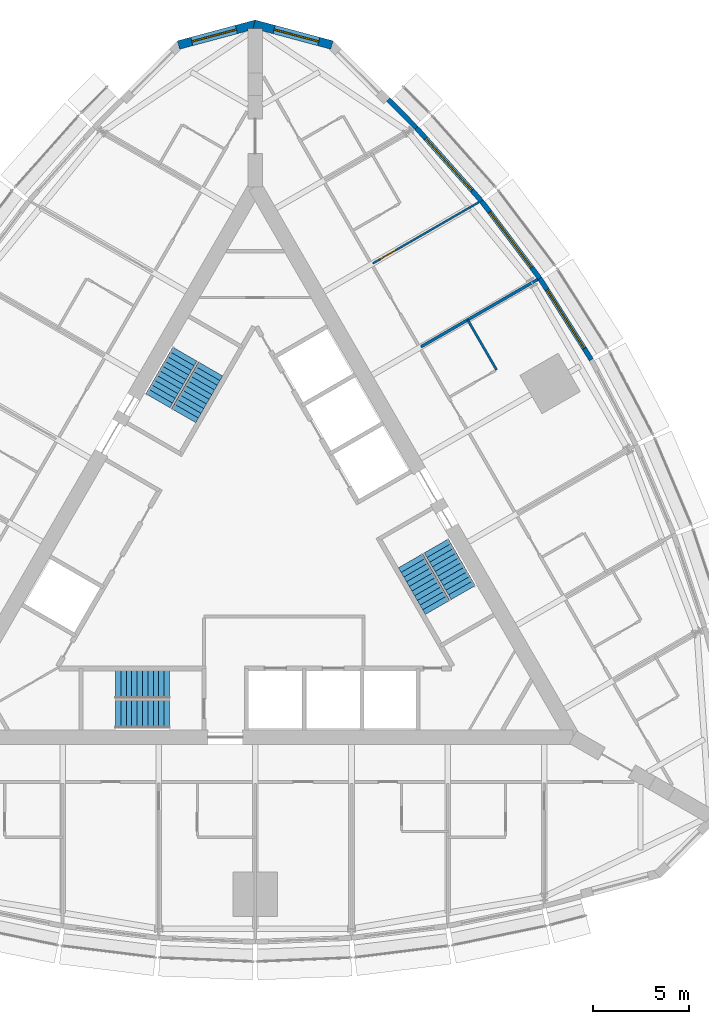
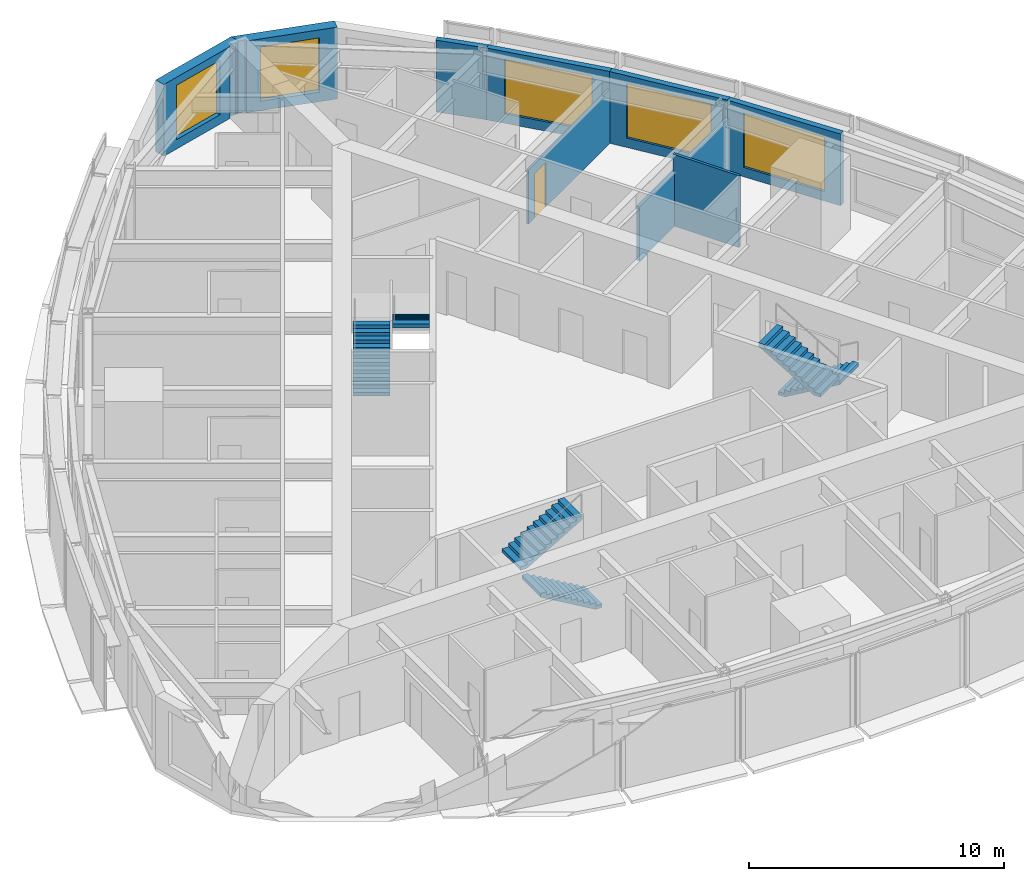
# One storey, part 14 of 15: 9 walls, 6 stair flights, 5 windows, 1 door, 6 openings, 3 elements without a shape of their own.
"""IFC4 building model written with IfcOpenShell, lengths in metres."""

from ifc_helpers import new_model, si_unit, direction, frame, frame_2d, origin, place, context, subcontext, project, spatial, polyline, rectangle, outline, extrude, material, layer, layer_set, type_object, element, fill, aggregate, save


model = new_model("IFC4")

# Units and contexts
model_context = context("Model", 3, precision=1e-05, world=origin(), true_north=direction((0.0, 1.0)))
body_context = subcontext(model_context, "Body", "Model", "MODEL_VIEW")
ifc_project = project(units=[si_unit("LENGTHUNIT", "METRE"), si_unit("AREAUNIT", "SQUARE_METRE"), si_unit("VOLUMEUNIT", "CUBIC_METRE"), si_unit("PLANEANGLEUNIT", "RADIAN"), si_unit("MASSUNIT", "GRAM", prefix="KILO")], contexts=[model_context])

# Site, building, storey
site_placement = place(None, origin())
site = spatial("IfcSite", under=ifc_project, at=site_placement, CompositionType="ELEMENT")
building_placement = place(site_placement, origin())
building = spatial("IfcBuilding", under=site, at=building_placement, Name="Trikona Tower", CompositionType="ELEMENT")
storey_placement = place(building_placement, frame((0.0, 0.0, 215.300048828125)))
storey = spatial("IfcBuildingStorey", under=building, at=storey_placement, Name="L57", CompositionType="ELEMENT", Elevation=215.300048828125)

# Wall
ifc_material_1 = material(Name="Metal stud and cement board", Category="gypsum")
ifc_layer_1 = layer(ifc_material_1, 0.1201171875)
ifc_layer_set_1 = layer_set([ifc_layer_1], Name="Bathroom wall 120")
wall_type_1 = type_object("IfcWallType", Name="Bathroom wall 120", PredefinedType="PLUMBINGWALL", material=ifc_layer_set_1)
wall_1_placement = place(storey_placement, frame((12.53271484375, 9.545166015625, 0.0), z_axis=(0.0, 0.0, 1.0), x_axis=(-0.499990139034, 0.866031096941, 0.0)))
element("IfcWall", 1, at=wall_1_placement, inside=storey, type_object=wall_type_1, Name="Bathroom wall 5708", PredefinedType="PLUMBINGWALL", context=body_context, shape_type="SweptSolid", body=[
    extrude(rectangle(XDim=3.0, YDim=0.1201171875, at=frame_2d((1.5, 0.0))), origin(), (0.0, 0.0, 1.0), 3.43505859375),
])

# Wall, opening, window
ifc_material_2 = material(Name="Brick-faced precast concrete", Category="masonry")
ifc_layer_2 = layer(ifc_material_2, 0.449951171875)
ifc_layer_set_2 = layer_set([ifc_layer_2], Name="Brick-faced corner wall 450")
wall_type_2 = type_object("IfcWallType", Name="Brick-faced corner wall 450", PredefinedType="SOLIDWALL", material=ifc_layer_set_2)
wall_2_placement = place(storey_placement, frame((3.9833984375, 26.41259765625, 0.0), z_axis=(0.0, 0.0, 1.0), x_axis=(-0.965920442324, 0.258839137498, 0.0)))
wall_2 = element("IfcWall", 2, at=wall_2_placement, inside=storey, type_object=wall_type_2, Name="External wall L57-21", PredefinedType="SOLIDWALL", context=body_context, shape_type="SweptSolid", body=[
    extrude(outline(polyline([(4.18408203125, 0.22509765625), (4.124267578125, 0.22509765625), (3.70556640625, 0.11279296875), (3.675537109375, 0.22509765625), (0.0, 0.22509765625), (0.0, -0.22509765625), (4.18408203125, -0.22509765625), (4.18408203125, 0.22509765625)])), origin(), (0.0, 0.0, 1.0), 3.43505859375),
])
opening_1_placement = place(wall_2_placement, frame((0.712646484375, 0.0, 0.449951171875)))
opening_1 = element("IfcOpeningElement", 3, at=opening_1_placement, cuts=wall_2, Name="Opening W2426", PredefinedType="OPENING", context=body_context, shape_type="SweptSolid", body=[
    extrude(rectangle(XDim=2.39990234375, YDim=2.60009765625, at=frame_2d((1.199951171875, 1.300048828125))), frame((0.0, 0.23486328125, 0.0), z_axis=(0.0, -1.0, 0.0), x_axis=(1.0, 0.0, 0.0)), (0.0, 0.0, 1.0), 0.469970703125),
])
ifc_material_3 = material(Name="Aluminium-framed double glazing", Category="aluminium")
window_type_1 = type_object("IfcWindowType", Name="Window 2400x2600", PartitioningType="SINGLE_PANEL", PredefinedType="WINDOW", material=ifc_material_3)
window_1_placement = place(opening_1_placement, origin())
window_1 = element("IfcWindow", 4, at=window_1_placement, inside=storey, type_object=window_type_1, Name="Window 5710", OverallHeight=2.60009765625, OverallWidth=2.39990234375, PartitioningType="SINGLE_PANEL", PredefinedType="WINDOW", context=body_context, shape_type="SweptSolid", body=[
    extrude(rectangle(XDim=2.39990234375, YDim=2.60009765625, at=frame_2d((1.199951171875, 1.300048828125))), frame((0.0, 0.030029296875, 0.0), z_axis=(0.0, -1.0, 0.0), x_axis=(1.0, 0.0, 0.0)), (0.0, 0.0, 1.0), 0.06005859375),
])
fill(opening_1, window_1)

wall_3_placement = place(storey_placement, frame((0.05810546875, 27.49560546875, 0.0), z_axis=(0.0, 0.0, 1.0), x_axis=(-0.965920442324, -0.258839137498, 0.0)))
wall_3 = element("IfcWall", 5, at=wall_3_placement, inside=storey, type_object=wall_type_2, Name="External wall L57-22", PredefinedType="SOLIDWALL", context=body_context, shape_type="SweptSolid", body=[
    extrude(outline(polyline([(4.18408203125, 0.22509765625), (0.5087890625, 0.22509765625), (0.478515625, 0.11279296875), (0.059814453125, 0.22509765625), (0.0, 0.22509765625), (0.0, -0.22509765625), (4.18408203125, -0.22509765625), (4.18408203125, 0.22509765625)])), origin(), (0.0, 0.0, 1.0), 3.43505859375),
])
opening_2_placement = place(wall_3_placement, frame((1.0712890625, 0.0, 0.449951171875)))
opening_2 = element("IfcOpeningElement", 6, at=opening_2_placement, cuts=wall_3, Name="Opening W2426", PredefinedType="OPENING", context=body_context, shape_type="SweptSolid", body=[
    extrude(rectangle(XDim=2.39990234375, YDim=2.60009765625, at=frame_2d((1.199951171875, 1.300048828125))), frame((0.0, 0.23486328125, 0.0), z_axis=(0.0, -1.0, 0.0), x_axis=(1.0, 0.0, 0.0)), (0.0, 0.0, 1.0), 0.469970703125),
])
window_2_placement = place(opening_2_placement, origin())
window_2 = element("IfcWindow", 7, at=window_2_placement, inside=storey, type_object=window_type_1, Name="Window 5711", OverallHeight=2.60009765625, OverallWidth=2.39990234375, PartitioningType="SINGLE_PANEL", PredefinedType="WINDOW", context=body_context, shape_type="SweptSolid", body=[
    extrude(rectangle(XDim=2.39990234375, YDim=2.60009765625, at=frame_2d((1.199951171875, 1.300048828125))), frame((0.0, 0.030029296875, 0.0), z_axis=(0.0, -1.0, 0.0), x_axis=(1.0, 0.0, 0.0)), (0.0, 0.0, 1.0), 0.06005859375),
])
fill(opening_2, window_2)

ifc_material_4 = material(Name="Insulated precast concrete spandrel panel", Category="concrete")
ifc_layer_3 = layer(ifc_material_4, 0.25)
ifc_layer_set_3 = layer_set([ifc_layer_3], Name="Inner skin wall 250")
wall_type_3 = type_object("IfcWallType", Name="Inner skin wall 250", PredefinedType="STANDARD", material=ifc_layer_set_3)
wall_4_placement = place(storey_placement, frame((17.45556640625, 10.072021484375, 0.0), z_axis=(0.0, 0.0, 1.0), x_axis=(-0.535220361449, 0.844712474568, 0.0)))
wall_4 = element("IfcWall", 8, at=wall_4_placement, inside=storey, type_object=wall_type_3, Name="External wall L57-16", PredefinedType="STANDARD", context=body_context, shape_type="SweptSolid", body=[
    extrude(rectangle(XDim=5.00439453125, YDim=0.25, at=frame_2d((2.502197265625, 0.0))), origin(), (0.0, 0.0, 1.0), 3.43505859375),
])
opening_3_placement = place(wall_4_placement, frame((0.7021484375, 0.0, 0.449951171875)))
opening_3 = element("IfcOpeningElement", 9, at=opening_3_placement, cuts=wall_4, Name="Opening W3626", PredefinedType="OPENING", context=body_context, shape_type="SweptSolid", body=[
    extrude(rectangle(XDim=3.60009765625, YDim=2.60009765625, at=frame_2d((1.800048828125, 1.300048828125))), frame((0.0, 0.135009765625, 0.0), z_axis=(0.0, -1.0, 0.0), x_axis=(1.0, 0.0, 0.0)), (0.0, 0.0, 1.0), 0.27001953125),
])
ifc_material_5 = material(Name="Aluminium-framed double glazing", Category="aluminium")
window_type_2 = type_object("IfcWindowType", Name="Window 3600x2600", PartitioningType="SINGLE_PANEL", PredefinedType="WINDOW", material=ifc_material_5)
window_3_placement = place(opening_3_placement, origin())
window_3 = element("IfcWindow", 10, at=window_3_placement, inside=storey, type_object=window_type_2, Name="Window 5708", OverallHeight=2.60009765625, OverallWidth=3.60009765625, PartitioningType="SINGLE_PANEL", PredefinedType="WINDOW", context=body_context, shape_type="SweptSolid", body=[
    extrude(rectangle(XDim=3.60009765625, YDim=2.60009765625, at=frame_2d((1.800048828125, 1.300048828125))), frame((0.0, 0.030029296875, 0.0), z_axis=(0.0, -1.0, 0.0), x_axis=(1.0, 0.0, 0.0)), (0.0, 0.0, 1.0), 0.06005859375),
])
fill(opening_3, window_3)

wall_5_placement = place(storey_placement, frame((14.782958984375, 14.290771484375, 0.0), z_axis=(0.0, 0.0, 1.0), x_axis=(-0.602408653511, 0.798187831388, 0.0)))
wall_5 = element("IfcWall", 11, at=wall_5_placement, inside=storey, type_object=wall_type_3, Name="External wall L57-17", PredefinedType="STANDARD", context=body_context, shape_type="SweptSolid", body=[
    extrude(rectangle(XDim=5.037841796875, YDim=0.25, at=frame_2d((2.51904296875, 0.0))), origin(), (0.0, 0.0, 1.0), 3.43505859375),
])
opening_4_placement = place(wall_5_placement, frame((0.718994140625, 0.0, 0.449951171875)))
opening_4 = element("IfcOpeningElement", 12, at=opening_4_placement, cuts=wall_5, Name="Opening W3626", PredefinedType="OPENING", context=body_context, shape_type="SweptSolid", body=[
    extrude(rectangle(XDim=3.60009765625, YDim=2.60009765625, at=frame_2d((1.800048828125, 1.300048828125))), frame((0.0, 0.135009765625, 0.0), z_axis=(0.0, -1.0, 0.0), x_axis=(1.0, 0.0, 0.0)), (0.0, 0.0, 1.0), 0.27001953125),
])
window_4_placement = place(opening_4_placement, origin())
window_4 = element("IfcWindow", 13, at=window_4_placement, inside=storey, type_object=window_type_2, Name="Window 5709", OverallHeight=2.60009765625, OverallWidth=3.60009765625, PartitioningType="SINGLE_PANEL", PredefinedType="WINDOW", context=body_context, shape_type="SweptSolid", body=[
    extrude(rectangle(XDim=3.60009765625, YDim=2.60009765625, at=frame_2d((1.800048828125, 1.300048828125))), frame((0.0, 0.030029296875, 0.0), z_axis=(0.0, -1.0, 0.0), x_axis=(1.0, 0.0, 0.0)), (0.0, 0.0, 1.0), 0.06005859375),
])
fill(opening_4, window_4)

wall_6_placement = place(storey_placement, frame((11.75439453125, 18.304443359375, 0.0), z_axis=(0.0, 0.0, 1.0), x_axis=(-0.664348996191, 0.747422511876, 0.0)))
wall_6 = element("IfcWall", 14, at=wall_6_placement, inside=storey, type_object=wall_type_3, Name="External wall L57-18", PredefinedType="STANDARD", context=body_context, shape_type="SweptSolid", body=[
    extrude(rectangle(XDim=5.104736328125, YDim=0.25, at=frame_2d((2.55224609375, 0.0))), origin(), (0.0, 0.0, 1.0), 3.43505859375),
])
opening_5_placement = place(wall_6_placement, frame((0.75244140625, 0.0, 0.449951171875)))
opening_5 = element("IfcOpeningElement", 15, at=opening_5_placement, cuts=wall_6, Name="Opening W3626", PredefinedType="OPENING", context=body_context, shape_type="SweptSolid", body=[
    extrude(rectangle(XDim=3.60009765625, YDim=2.60009765625, at=frame_2d((1.800048828125, 1.300048828125))), frame((0.0, 0.135009765625, 0.0), z_axis=(0.0, -1.0, 0.0), x_axis=(1.0, 0.0, 0.0)), (0.0, 0.0, 1.0), 0.27001953125),
])
window_5_placement = place(opening_5_placement, origin())
window_5 = element("IfcWindow", 16, at=window_5_placement, inside=storey, type_object=window_type_2, Name="Window 5709.1", OverallHeight=2.60009765625, OverallWidth=3.60009765625, PartitioningType="SINGLE_PANEL", PredefinedType="WINDOW", context=body_context, shape_type="SweptSolid", body=[
    extrude(rectangle(XDim=3.60009765625, YDim=2.60009765625, at=frame_2d((1.800048828125, 1.300048828125))), frame((0.0, 0.030029296875, 0.0), z_axis=(0.0, -1.0, 0.0), x_axis=(1.0, 0.0, 0.0)), (0.0, 0.0, 1.0), 0.06005859375),
])
fill(opening_5, window_5)

# Walls
wall_7_placement = place(storey_placement, frame((8.36767578125, 22.11474609375, 0.0), z_axis=(0.0, 0.0, 1.0), x_axis=(-0.704149946111, 0.710051303352, 0.0)))
element("IfcWall", 17, at=wall_7_placement, inside=storey, type_object=wall_type_3, Name="External wall L57-19", PredefinedType="STANDARD", context=body_context, shape_type="SweptSolid", body=[
    extrude(rectangle(XDim=2.068603515625, YDim=0.25, at=frame_2d((1.0341796875, 0.0))), origin(), (0.0, 0.0, 1.0), 3.43505859375),
])
ifc_material_6 = material(Name="Metal stud and gypsum board, 1-hour acoustic", Category="gypsum")
ifc_layer_4 = layer(ifc_material_6, 0.14990234375)
ifc_layer_set_4 = layer_set([ifc_layer_4], Name="Party wall 150")
wall_type_4 = type_object("IfcWallType", Name="Party wall 150", PredefinedType="PARTITIONING", material=ifc_layer_set_4)
wall_8_placement = place(storey_placement, frame((8.60791015625, 10.743408203125, 0.0), z_axis=(0.0, 0.0, 1.0), x_axis=(0.86604781716, 0.499961176886, 0.0)))
element("IfcWall", 18, at=wall_8_placement, inside=storey, type_object=wall_type_4, Name="Partition L57 F2 u5", PredefinedType="PARTITIONING", context=body_context, shape_type="SweptSolid", body=[
    extrude(rectangle(XDim=6.99365234375, YDim=0.14990234375, at=frame_2d((3.496826171875, 0.0))), origin(), (0.0, 0.0, 1.0), 2.589111328125),
])

# Wall, opening, door
ifc_material_7 = material(Name="Metal stud and gypsum board, acoustic", Category="gypsum")
ifc_layer_5 = layer(ifc_material_7, 0.10009765625)
ifc_layer_set_5 = layer_set([ifc_layer_5], Name="Suite partition 100")
wall_type_5 = type_object("IfcWallType", Name="Suite partition 100", PredefinedType="PARTITIONING", material=ifc_layer_set_5)
wall_9_placement = place(storey_placement, frame((6.10791015625, 15.073486328125, 0.0), z_axis=(0.0, 0.0, 1.0), x_axis=(0.866035028144, 0.499983329749, 0.0)))
wall_9 = element("IfcWall", 19, at=wall_9_placement, inside=storey, type_object=wall_type_5, Name="Suite partition L57 F2 u10", PredefinedType="PARTITIONING", context=body_context, shape_type="SweptSolid", body=[
    extrude(rectangle(XDim=6.372802734375, YDim=0.10009765625, at=frame_2d((3.1865234375, 0.0))), origin(), (0.0, 0.0, 1.0), 2.589111328125),
])
opening_6_placement = place(wall_9_placement, frame((0.449951171875, 0.0, 0.0)))
opening_6 = element("IfcOpeningElement", 20, at=opening_6_placement, cuts=wall_9, Name="Opening D13", PredefinedType="OPENING", context=body_context, shape_type="SweptSolid", body=[
    extrude(rectangle(XDim=0.89990234375, YDim=2.1298828125, at=frame_2d((0.449951171875, 1.06494140625))), frame((0.0, 0.06005859375, 0.0), z_axis=(0.0, -1.0, 0.0), x_axis=(1.0, 0.0, 0.0)), (0.0, 0.0, 1.0), 0.1201171875),
])
ifc_material_8 = material(Name="Steel door frame with solid-core timber leaf", Category="steel")
door_type = type_object("IfcDoorType", Name="Suite door 900x2130", OperationType="SINGLE_SWING_LEFT", PredefinedType="DOOR", material=ifc_material_8)
door_placement = place(opening_6_placement, origin())
door = element("IfcDoor", 21, at=door_placement, inside=storey, type_object=door_type, Name="Suite door 5709", OperationType="SINGLE_SWING_LEFT", OverallHeight=2.1298828125, OverallWidth=0.89990234375, PredefinedType="DOOR", context=body_context, shape_type="SweptSolid", body=[
    extrude(rectangle(XDim=0.89990234375, YDim=2.1298828125, at=frame_2d((0.449951171875, 1.06494140625))), frame((0.0, 0.02490234375, 0.0), z_axis=(0.0, -1.0, 0.0), x_axis=(1.0, 0.0, 0.0)), (0.0, 0.0, 1.0), 0.050048828125),
])
fill(opening_6, door)

# Stair, stair flights
ifc_material_9 = material(Name="Concrete f'c 5000 psi", Category="concrete")
stair_type = type_object("IfcStairType", Name="Core stair", PredefinedType="HALF_TURN_STAIR", material=ifc_material_9)
stair_1_placement = place(storey_placement, origin())
stair_1 = element("IfcStair", 22, at=stair_1_placement, inside=storey, type_object=stair_type, Name="Stair A L57", PredefinedType="HALF_TURN_STAIR")
ifc_material_10 = material(Name="Concrete f'c 5000 psi", Category="concrete")
stair_flight_type = type_object("IfcStairFlightType", Name="Core stair flight 1450", PredefinedType="STRAIGHT", material=ifc_material_10)
stair_flight_1_placement = place(storey_placement, frame((-4.449951171875, -8.351318359375, 0.0), z_axis=(0.0, 0.0, 1.0), x_axis=(-1.0, 0.0, 0.0)))
stair_flight_1 = element("IfcStairFlight", 23, at=stair_flight_1_placement, type_object=stair_flight_type, Name="ST-A flight 1", NumberOfRisers=11, NumberOfTreads=10, PredefinedType="STRAIGHT", RiserHeight=0.163636, TreadLength=0.28, context=body_context, shape_type="SweptSolid", body=[
    extrude(outline(polyline([(0.0, 0.0), (0.0, 0.16357421875), (0.280029296875, 0.16357421875), (0.280029296875, 0.327392578125), (0.56005859375, 0.327392578125), (0.56005859375, 0.490966796875), (0.840087890625, 0.490966796875), (0.840087890625, 0.654541015625), (1.1201171875, 0.654541015625), (1.1201171875, 0.818115234375), (1.39990234375, 0.818115234375), (1.39990234375, 0.98193359375), (1.679931640625, 0.98193359375), (1.679931640625, 1.1455078125), (1.9599609375, 1.1455078125), (1.9599609375, 1.30908203125), (2.239990234375, 1.30908203125), (2.239990234375, 1.47265625), (2.52001953125, 1.47265625), (2.52001953125, 1.636474609375), (2.800048828125, 1.636474609375), (2.800048828125, 1.800048828125), (2.800048828125, 1.462646484375), (0.297119140625, 0.0), (0.0, 0.0)])), frame((0.0, 0.72509765625, 0.0), z_axis=(0.0, -1.0, 0.0), x_axis=(1.0, 0.0, 0.0)), (0.0, 0.0, 1.0), 1.449951171875),
])
stair_flight_2_placement = place(storey_placement, frame((-7.25, -6.80126953125, 1.800048828125), z_axis=(0.0, 0.0, 1.0), x_axis=(1.0, 0.0, 0.0)))
stair_flight_2 = element("IfcStairFlight", 24, at=stair_flight_2_placement, type_object=stair_flight_type, Name="ST-A flight 2", NumberOfRisers=11, NumberOfTreads=10, PredefinedType="STRAIGHT", RiserHeight=0.163636, TreadLength=0.28, context=body_context, shape_type="SweptSolid", body=[
    extrude(outline(polyline([(0.0, 0.0), (0.0, 0.16357421875), (0.280029296875, 0.16357421875), (0.280029296875, 0.327392578125), (0.56005859375, 0.327392578125), (0.56005859375, 0.490966796875), (0.840087890625, 0.490966796875), (0.840087890625, 0.654541015625), (1.1201171875, 0.654541015625), (1.1201171875, 0.818115234375), (1.39990234375, 0.818115234375), (1.39990234375, 0.98193359375), (1.679931640625, 0.98193359375), (1.679931640625, 1.1455078125), (1.9599609375, 1.1455078125), (1.9599609375, 1.30908203125), (2.239990234375, 1.30908203125), (2.239990234375, 1.47265625), (2.52001953125, 1.47265625), (2.52001953125, 1.636474609375), (2.800048828125, 1.636474609375), (2.800048828125, 1.800048828125), (2.800048828125, 1.462646484375), (0.297119140625, 0.0), (0.0, 0.0)])), frame((0.0, 0.72509765625, 0.0), z_axis=(0.0, -1.0, 0.0), x_axis=(1.0, 0.0, 0.0)), (0.0, 0.0, 1.0), 1.449951171875),
])
aggregate(stair_1, [stair_flight_1, stair_flight_2])

stair_2_placement = place(storey_placement, origin())
stair_2 = element("IfcStair", 25, at=stair_2_placement, inside=storey, type_object=stair_type, Name="Stair B L57", PredefinedType="HALF_TURN_STAIR")
stair_flight_3_placement = place(storey_placement, frame((9.407470703125, 0.408447265625, 0.0), z_axis=(0.0, 0.0, 1.0), x_axis=(0.5, -0.866025403784, 0.0)))
stair_flight_3 = element("IfcStairFlight", 26, at=stair_flight_3_placement, type_object=stair_flight_type, Name="ST-B flight 1", NumberOfRisers=11, NumberOfTreads=10, PredefinedType="STRAIGHT", RiserHeight=0.163636, TreadLength=0.28, context=body_context, shape_type="SweptSolid", body=[
    extrude(outline(polyline([(0.0, 0.0), (0.0, 0.16357421875), (0.280029296875, 0.16357421875), (0.280029296875, 0.327392578125), (0.56005859375, 0.327392578125), (0.56005859375, 0.490966796875), (0.840087890625, 0.490966796875), (0.840087890625, 0.654541015625), (1.1201171875, 0.654541015625), (1.1201171875, 0.818115234375), (1.39990234375, 0.818115234375), (1.39990234375, 0.98193359375), (1.679931640625, 0.98193359375), (1.679931640625, 1.1455078125), (1.9599609375, 1.1455078125), (1.9599609375, 1.30908203125), (2.239990234375, 1.30908203125), (2.239990234375, 1.47265625), (2.52001953125, 1.47265625), (2.52001953125, 1.636474609375), (2.800048828125, 1.636474609375), (2.800048828125, 1.800048828125), (2.800048828125, 1.462646484375), (0.297119140625, 0.0), (0.0, 0.0)])), frame((0.0, 0.72509765625, 0.0), z_axis=(0.0, -1.0, 0.0), x_axis=(1.0, 0.0, 0.0)), (0.0, 0.0, 1.0), 1.449951171875),
])
stair_flight_4_placement = place(storey_placement, frame((9.465087890625, -2.79150390625, 1.800048828125), z_axis=(0.0, 0.0, 1.0), x_axis=(-0.5, 0.866025403784, 0.0)))
stair_flight_4 = element("IfcStairFlight", 27, at=stair_flight_4_placement, type_object=stair_flight_type, Name="ST-B flight 2", NumberOfRisers=11, NumberOfTreads=10, PredefinedType="STRAIGHT", RiserHeight=0.163636, TreadLength=0.28, context=body_context, shape_type="SweptSolid", body=[
    extrude(outline(polyline([(0.0, 0.0), (0.0, 0.16357421875), (0.280029296875, 0.16357421875), (0.280029296875, 0.327392578125), (0.56005859375, 0.327392578125), (0.56005859375, 0.490966796875), (0.840087890625, 0.490966796875), (0.840087890625, 0.654541015625), (1.1201171875, 0.654541015625), (1.1201171875, 0.818115234375), (1.39990234375, 0.818115234375), (1.39990234375, 0.98193359375), (1.679931640625, 0.98193359375), (1.679931640625, 1.1455078125), (1.9599609375, 1.1455078125), (1.9599609375, 1.30908203125), (2.239990234375, 1.30908203125), (2.239990234375, 1.47265625), (2.52001953125, 1.47265625), (2.52001953125, 1.636474609375), (2.800048828125, 1.636474609375), (2.800048828125, 1.800048828125), (2.800048828125, 1.462646484375), (0.297119140625, 0.0), (0.0, 0.0)])), frame((0.0, 0.72509765625, 0.0), z_axis=(0.0, -1.0, 0.0), x_axis=(1.0, 0.0, 0.0)), (0.0, 0.0, 1.0), 1.449951171875),
])
aggregate(stair_2, [stair_flight_3, stair_flight_4])

stair_3_placement = place(storey_placement, origin())
stair_3 = element("IfcStair", 28, at=stair_3_placement, inside=storey, type_object=stair_type, Name="Stair C L57", PredefinedType="HALF_TURN_STAIR")
stair_flight_5_placement = place(storey_placement, frame((-5.057373046875, 7.94287109375, 0.0), z_axis=(0.0, 0.0, 1.0), x_axis=(0.5, 0.866025403784, 0.0)))
stair_flight_5 = element("IfcStairFlight", 29, at=stair_flight_5_placement, type_object=stair_flight_type, Name="ST-C flight 1", NumberOfRisers=11, NumberOfTreads=10, PredefinedType="STRAIGHT", RiserHeight=0.163636, TreadLength=0.28, context=body_context, shape_type="SweptSolid", body=[
    extrude(outline(polyline([(0.0, 0.0), (0.0, 0.16357421875), (0.280029296875, 0.16357421875), (0.280029296875, 0.327392578125), (0.56005859375, 0.327392578125), (0.56005859375, 0.490966796875), (0.840087890625, 0.490966796875), (0.840087890625, 0.654541015625), (1.1201171875, 0.654541015625), (1.1201171875, 0.818115234375), (1.39990234375, 0.818115234375), (1.39990234375, 0.98193359375), (1.679931640625, 0.98193359375), (1.679931640625, 1.1455078125), (1.9599609375, 1.1455078125), (1.9599609375, 1.30908203125), (2.239990234375, 1.30908203125), (2.239990234375, 1.47265625), (2.52001953125, 1.47265625), (2.52001953125, 1.636474609375), (2.800048828125, 1.636474609375), (2.800048828125, 1.800048828125), (2.800048828125, 1.462646484375), (0.297119140625, 0.0), (0.0, 0.0)])), frame((0.0, 0.72509765625, 0.0), z_axis=(0.0, -1.0, 0.0), x_axis=(1.0, 0.0, 0.0)), (0.0, 0.0, 1.0), 1.449951171875),
])
stair_flight_6_placement = place(storey_placement, frame((-2.315185546875, 9.5927734375, 1.800048828125), z_axis=(0.0, 0.0, 1.0), x_axis=(-0.5, -0.866025403784, 0.0)))
stair_flight_6 = element("IfcStairFlight", 30, at=stair_flight_6_placement, type_object=stair_flight_type, Name="ST-C flight 2", NumberOfRisers=11, NumberOfTreads=10, PredefinedType="STRAIGHT", RiserHeight=0.163636, TreadLength=0.28, context=body_context, shape_type="SweptSolid", body=[
    extrude(outline(polyline([(0.0, 0.0), (0.0, 0.16357421875), (0.280029296875, 0.16357421875), (0.280029296875, 0.327392578125), (0.56005859375, 0.327392578125), (0.56005859375, 0.490966796875), (0.840087890625, 0.490966796875), (0.840087890625, 0.654541015625), (1.1201171875, 0.654541015625), (1.1201171875, 0.818115234375), (1.39990234375, 0.818115234375), (1.39990234375, 0.98193359375), (1.679931640625, 0.98193359375), (1.679931640625, 1.1455078125), (1.9599609375, 1.1455078125), (1.9599609375, 1.30908203125), (2.239990234375, 1.30908203125), (2.239990234375, 1.47265625), (2.52001953125, 1.47265625), (2.52001953125, 1.636474609375), (2.800048828125, 1.636474609375), (2.800048828125, 1.800048828125), (2.800048828125, 1.462646484375), (0.297119140625, 0.0), (0.0, 0.0)])), frame((0.0, 0.72509765625, 0.0), z_axis=(0.0, -1.0, 0.0), x_axis=(1.0, 0.0, 0.0)), (0.0, 0.0, 1.0), 1.449951171875),
])
aggregate(stair_3, [stair_flight_5, stair_flight_6])

save(model, "model.ifc")
